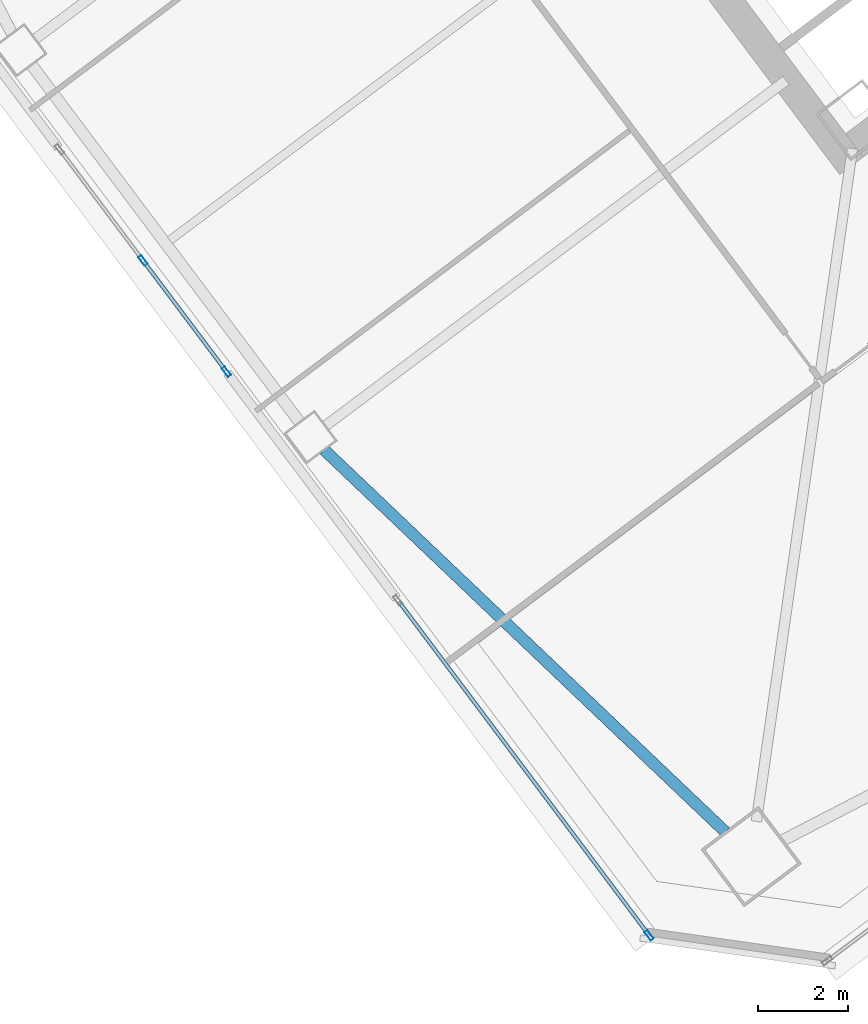
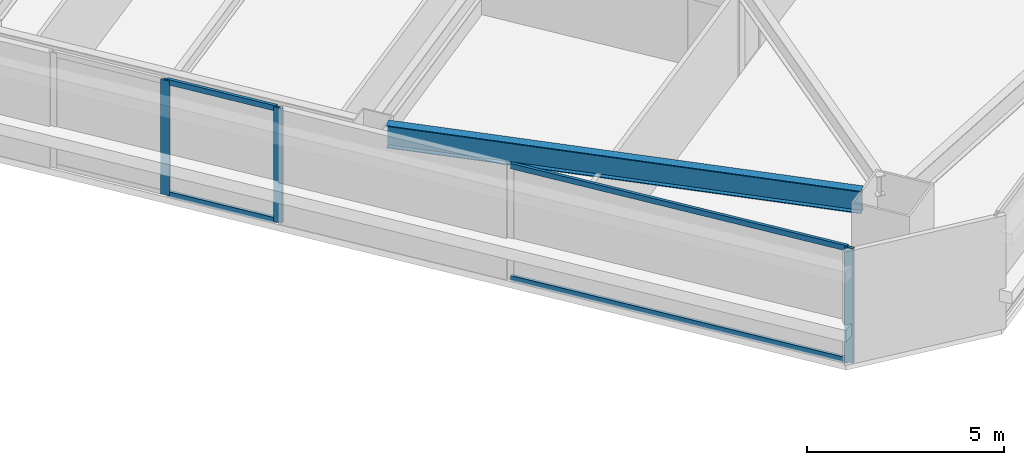
# One storey, part 16 of 45: 7 members, 1 beam, 2 elements without a shape of their own.
"""IFC4 building model written with IfcOpenShell, lengths in metres."""

from ifc_helpers import new_model, si_unit, direction, frame, origin, origin_2d, place, context, subcontext, project, spatial, hollow_rectangle, i_section, extrude, material, material_profile, profile_set, type_object, element, aggregate, save


model = new_model("IFC4")

# Units and contexts
model_context = context("Model", 3, precision=1e-05, world=origin(), true_north=direction((0.0, 1.0)))
body_context = subcontext(model_context, "Body", "Model", "MODEL_VIEW")
ifc_project = project(units=[si_unit("LENGTHUNIT", "METRE"), si_unit("AREAUNIT", "SQUARE_METRE"), si_unit("VOLUMEUNIT", "CUBIC_METRE"), si_unit("PLANEANGLEUNIT", "RADIAN"), si_unit("MASSUNIT", "GRAM", prefix="KILO")], contexts=[model_context])

# Site, building, storey
site_placement = place(None, origin())
site = spatial("IfcSite", under=ifc_project, at=site_placement, CompositionType="ELEMENT")
building_placement = place(site_placement, origin())
building = spatial("IfcBuilding", under=site, at=building_placement, Name="Tashvorn Skyway Center", CompositionType="ELEMENT")
storey_placement = place(building_placement, frame((0.0, 0.0, 35.25)))
storey = spatial("IfcBuildingStorey", under=building, at=storey_placement, Name="L08", CompositionType="ELEMENT", Elevation=35.25)

# Beam
ifc_material_1 = material(Name="Steel ASTM A992 Grade 50", Category="steel")
ifc_material_profile_1 = material_profile(ifc_material_1, i_section(OverallWidth=0.256103515625, OverallDepth=0.693115234375, WebThickness=0.014404296875, FlangeThickness=0.023681640625, at=origin_2d()), Name="W27X114")
ifc_profile_set_1 = profile_set([ifc_material_profile_1], Name="Steel ASTM A992 Grade 50")
beam_type = type_object("IfcBeamType", Name="BM-SPANDREL-W27X114", PredefinedType="SPANDREL", material=ifc_profile_set_1)
beam_placement = place(storey_placement, frame((100.7041015625, 14.76025390625, 3.00341796875), z_axis=(0.724200339835, -0.689589637236, 0.0), x_axis=(0.689589637236, 0.724200339835, 0.0)))
element("IfcBeam", 1, at=beam_placement, inside=storey, type_object=beam_type, Name="Tower 2 L08 Spandrel Beam 12", PredefinedType="SPANDREL", context=body_context, shape_type="SweptSolid", body=[
    extrude(i_section(OverallWidth=0.256103515625, OverallDepth=0.693115234375, WebThickness=0.014404296875, FlangeThickness=0.023681640625, at=origin_2d()), origin(), (0.0, 0.0, 1.0), 12.37255859375),
])

# Curtain wall, member
ifc_material_2 = material(Name="Thermally broken bronze-anodized aluminium 6063-T6", Category="aluminium")
curtain_wall_type = type_object("IfcCurtainWallType", Name="CW-CW-Z1", PredefinedType="NOTDEFINED", material=ifc_material_2)
curtain_wall_1_placement = place(storey_placement, origin())
curtain_wall_1 = element("IfcCurtainWall", 2, at=curtain_wall_1_placement, inside=storey, type_object=curtain_wall_type, Name="Tower 2 L08 West Unitised Curtain Wall Glazing Group 1", PredefinedType="NOTDEFINED")
ifc_material_profile_2 = material_profile(ifc_material_2, hollow_rectangle(XDim=0.0849609375, YDim=0.239990234375, WallThickness=0.0048828125, at=origin_2d()), Name="ALU-MULL-85x240")
ifc_profile_set_2 = profile_set([ifc_material_profile_2], Name="Thermally broken bronze-anodized aluminium 6063-T6")
member_type_1 = type_object("IfcMemberType", Name="CWM-CW-Z1", PredefinedType="MULLION", material=ifc_profile_set_2)
member_1_placement = place(storey_placement, frame((107.95849609375, 3.922119140625, 0.0), z_axis=(0.0, 0.0, 1.0), x_axis=(-0.799999999998, -0.600000000002, 0.0)))
member_1 = element("IfcMember", 3, at=member_1_placement, type_object=member_type_1, Name="CW-Z1 mullion 1", PredefinedType="MULLION", context=body_context, shape_type="SweptSolid", body=[
    extrude(hollow_rectangle(XDim=0.0849609375, YDim=0.239990234375, WallThickness=0.0048828125, at=origin_2d()), origin(), (0.0, 0.0, 1.0), 3.550048828125),
])

# Curtain wall, members
curtain_wall_2_placement = place(storey_placement, origin())
curtain_wall_2 = element("IfcCurtainWall", 4, at=curtain_wall_2_placement, inside=storey, type_object=curtain_wall_type, Name="Tower 2 L08 West Unitised Curtain Wall Glazing Group 2", PredefinedType="NOTDEFINED")
member_2_placement = place(storey_placement, frame((98.5185546875, 16.5087890625, 0.0), z_axis=(0.0, 0.0, 1.0), x_axis=(-0.799996186392, -0.600005084776, 0.0)))
member_2 = element("IfcMember", 5, at=member_2_placement, type_object=member_type_1, Name="CW-Z1 mullion 1", PredefinedType="MULLION", context=body_context, shape_type="SweptSolid", body=[
    extrude(hollow_rectangle(XDim=0.0849609375, YDim=0.239990234375, WallThickness=0.0048828125, at=origin_2d()), origin(), (0.0, 0.0, 1.0), 3.550048828125),
])
member_3_placement = place(storey_placement, frame((96.656005859375, 18.991943359375, 0.0), z_axis=(0.0, 0.0, 1.0), x_axis=(-0.799996186392, -0.600005084776, 0.0)))
member_3 = element("IfcMember", 6, at=member_3_placement, type_object=member_type_1, Name="CW-Z1 mullion 2", PredefinedType="MULLION", context=body_context, shape_type="SweptSolid", body=[
    extrude(hollow_rectangle(XDim=0.0849609375, YDim=0.239990234375, WallThickness=0.0048828125, at=origin_2d()), origin(), (0.0, 0.0, 1.0), 3.550048828125),
])

# Member
ifc_material_profile_3 = material_profile(ifc_material_2, hollow_rectangle(XDim=0.0849609375, YDim=0.1650390625, WallThickness=0.0048828125, at=origin_2d()), Name="ALU-TRAN-85x165")
ifc_profile_set_3 = profile_set([ifc_material_profile_3], Name="Thermally broken bronze-anodized aluminium 6063-T6")
member_type_2 = type_object("IfcMemberType", Name="CWT-CW-Z1", PredefinedType="USERDEFINED", material=ifc_profile_set_3)
member_4_placement = place(storey_placement, frame((107.93310546875, 3.9560546875, 0.04248046875), z_axis=(-0.6, 0.8, 0.0), x_axis=(-0.8, -0.6, 0.0)))
member_4 = element("IfcMember", 7, at=member_4_placement, type_object=member_type_2, Name="CW-Z1 transom 1.1", ObjectType="TRANSOM", PredefinedType="USERDEFINED", context=body_context, shape_type="SweptSolid", body=[
    extrude(hollow_rectangle(XDim=0.0849609375, YDim=0.1650390625, WallThickness=0.0048828125, at=origin_2d()), origin(), (0.0, 0.0, 1.0), 9.27001953125),
])

member_5_placement = place(storey_placement, frame((107.93310546875, 3.9560546875, 3.507568359375), z_axis=(-0.6, 0.8, 0.0), x_axis=(-0.8, -0.6, 0.0)))
member_5 = element("IfcMember", 8, at=member_5_placement, type_object=member_type_2, Name="CW-Z1 transom 1.2", ObjectType="TRANSOM", PredefinedType="USERDEFINED", context=body_context, shape_type="SweptSolid", body=[
    extrude(hollow_rectangle(XDim=0.0849609375, YDim=0.1650390625, WallThickness=0.0048828125, at=origin_2d()), origin(), (0.0, 0.0, 1.0), 9.27001953125),
])

aggregate(curtain_wall_1, [member_1, member_4, member_5])

member_6_placement = place(storey_placement, frame((98.492919921875, 16.542724609375, 0.04248046875), z_axis=(-0.600012938206, 0.799990296182, 0.0), x_axis=(-0.799990296182, -0.600012938206, 0.0)))
member_6 = element("IfcMember", 9, at=member_6_placement, type_object=member_type_2, Name="CW-Z1 transom 1.1", ObjectType="TRANSOM", PredefinedType="USERDEFINED", context=body_context, shape_type="SweptSolid", body=[
    extrude(hollow_rectangle(XDim=0.0849609375, YDim=0.1650390625, WallThickness=0.0048828125, at=origin_2d()), origin(), (0.0, 0.0, 1.0), 3.01904296875),
])

member_7_placement = place(storey_placement, frame((98.492919921875, 16.542724609375, 3.507568359375), z_axis=(-0.600012938206, 0.799990296182, 0.0), x_axis=(-0.799990296182, -0.600012938206, 0.0)))
member_7 = element("IfcMember", 10, at=member_7_placement, type_object=member_type_2, Name="CW-Z1 transom 1.2", ObjectType="TRANSOM", PredefinedType="USERDEFINED", context=body_context, shape_type="SweptSolid", body=[
    extrude(hollow_rectangle(XDim=0.0849609375, YDim=0.1650390625, WallThickness=0.0048828125, at=origin_2d()), origin(), (0.0, 0.0, 1.0), 3.01904296875),
])

aggregate(curtain_wall_2, [member_2, member_3, member_6, member_7])

save(model, "model.ifc")
